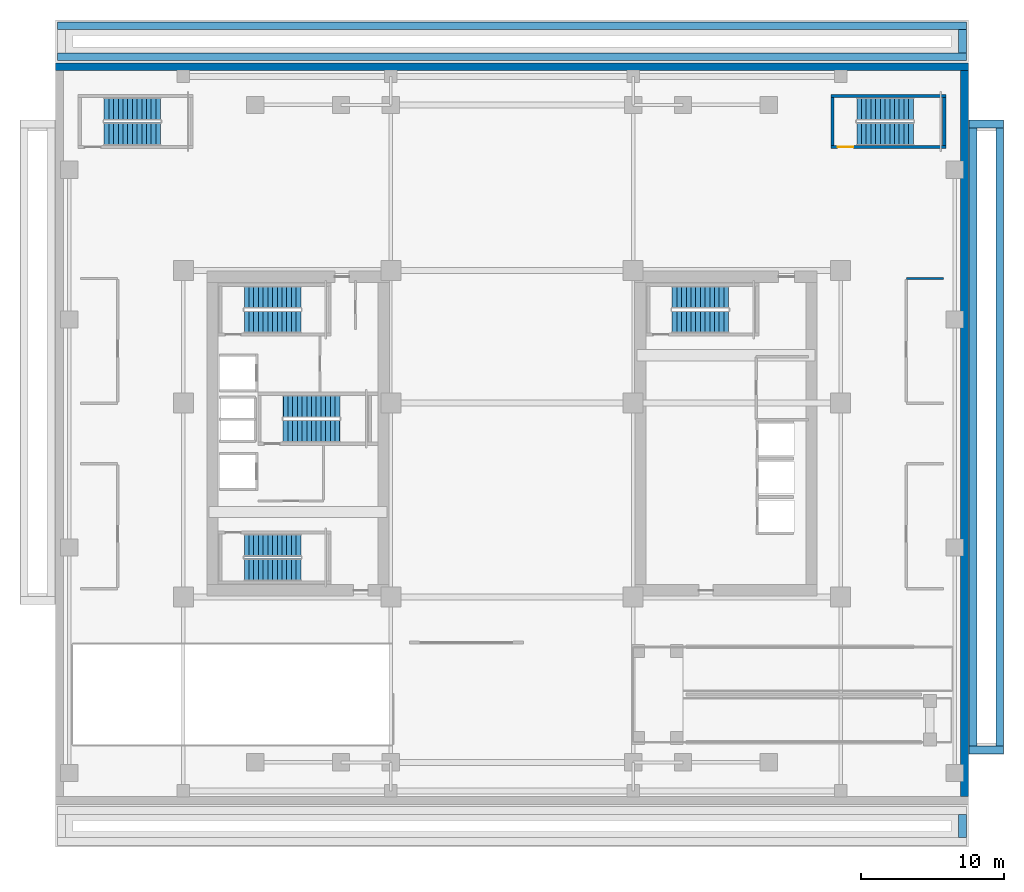
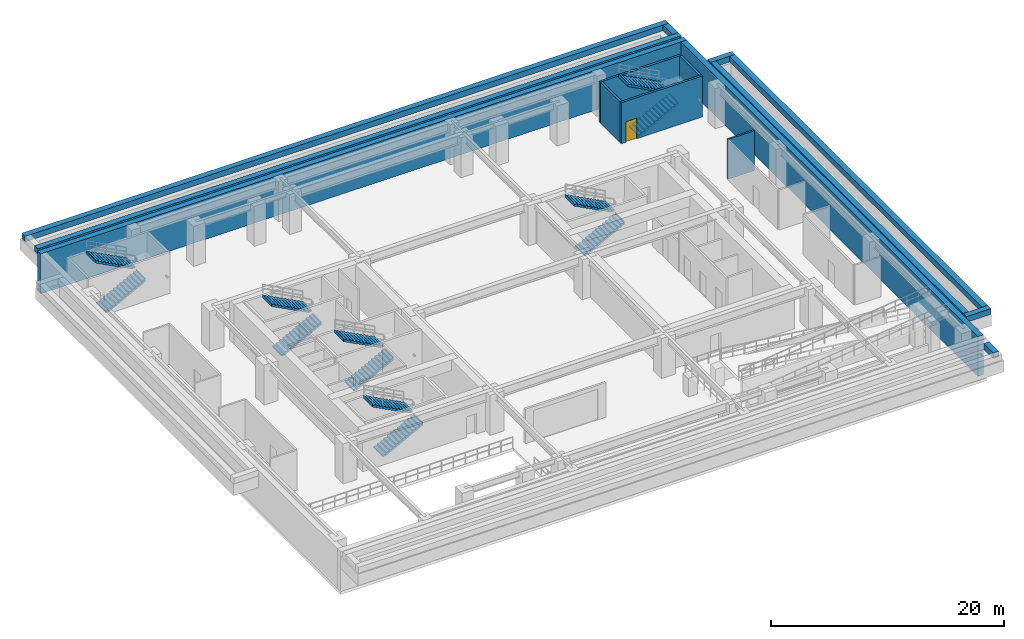
# One storey, part 5 of 9: 15 walls, 12 stair flights, 1 door, 1 opening, 6 elements without a shape of their own.
"""IFC4 building model written with IfcOpenShell, lengths in metres."""

from ifc_helpers import new_model, si_unit, direction, frame, frame_2d, origin, place, context, subcontext, project, spatial, polyline, rectangle, outline, extrude, source, transform, mapped, material, layer, layer_set, type_object, element, fill, aggregate, save


model = new_model("IFC4")

# Units and contexts
model_context = context("Model", 3, precision=1e-05, world=origin(), true_north=direction((0.0, 1.0)))
body_context = subcontext(model_context, "Body", "Model", "MODEL_VIEW")
ifc_project = project(units=[si_unit("LENGTHUNIT", "METRE"), si_unit("AREAUNIT", "SQUARE_METRE"), si_unit("VOLUMEUNIT", "CUBIC_METRE"), si_unit("PLANEANGLEUNIT", "RADIAN"), si_unit("MASSUNIT", "GRAM", prefix="KILO")], contexts=[model_context])

# Site, building, storey
site_placement = place(None, origin())
site = spatial("IfcSite", under=ifc_project, at=site_placement, CompositionType="ELEMENT")
building_placement = place(site_placement, origin())
building = spatial("IfcBuilding", under=site, at=building_placement, Name="Ocotamira Hotel", CompositionType="ELEMENT")
storey_placement = place(building_placement, frame((0.0, 0.0, -4.5)))
storey = spatial("IfcBuildingStorey", under=building, at=storey_placement, Name="B01", CompositionType="ELEMENT", Elevation=-4.5)

# Walls
ifc_material_1 = material(Name="Acoustic double-layer fire gypsum board partition", Category="gypsum")
ifc_layer_1 = layer(ifc_material_1, 0.159912109375)
ifc_layer_set_1 = layer_set([ifc_layer_1], Name="Acoustic double-layer fire gypsum board partition")
wall_type_1 = type_object("IfcWallType", Name="WL-FIRE-160", PredefinedType="PARTITIONING", material=ifc_layer_set_1)
wall_1_placement = place(storey_placement, frame((59.64990234375, 36.8798828125, 0.0), z_axis=(0.0, 0.0, 1.0), x_axis=(1.0, 0.0, 0.0)))
element("IfcWall", 1, at=wall_1_placement, inside=storey, type_object=wall_type_1, Name="B01 Interior Wall PW-B01-B01-BIKE-N", PredefinedType="PARTITIONING", context=body_context, shape_type="SweptSolid", body=[
    extrude(rectangle(XDim=2.60009765625, YDim=0.159912109375, at=frame_2d((1.300048828125, 0.0))), origin(), (0.0, 0.0, 1.0), 4.179931640625),
])
ifc_material_2 = material(Name="Concrete C50/60", Category="concrete")
ifc_layer_2 = layer(ifc_material_2, 0.550048828125)
ifc_layer_set_2 = layer_set([ifc_layer_2], Name="Concrete C50/60")
wall_type_2 = type_object("IfcWallType", Name="WL-RET-550", PredefinedType="USERDEFINED", material=ifc_layer_set_2)
wall_2_placement = place(storey_placement, frame((63.60009765625, -2.324951171875, 3.64990234375), z_axis=(0.0, 0.0, 1.0), x_axis=(0.0, 1.0, 0.0)))
element("IfcWall", 2, at=wall_2_placement, inside=storey, type_object=wall_type_2, Name="B01 Shear Core Wall RW-PLZ-SOUTH-E", ObjectType="RETAINING WALL", PredefinedType="USERDEFINED", context=body_context, shape_type="SweptSolid", body=[
    extrude(rectangle(XDim=1.6298828125, YDim=0.550048828125, at=frame_2d((0.81494140625, 0.0))), origin(), (0.0, 0.0, 1.0), 0.60009765625),
])
for number, where, z_axis, x_axis, name in (
    (3, (0.125, 52.419921875, 3.64990234375), (0.0, 0.0, 1.0), (1.0, 0.0, 0.0), "B01 Shear Core Wall RW-PLZ-NORTH-S"),
    (4, (0.125, 54.60009765625, 3.64990234375), (0.0, 0.0, 1.0), (1.0, 0.0, 0.0), "B01 Shear Core Wall RW-PLZ-NORTH-N"),
):
    element("IfcWall", number, at=place(storey_placement, frame(where, z_axis=z_axis, x_axis=x_axis)), inside=storey, type_object=wall_type_2, Name=name, ObjectType="RETAINING WALL", PredefinedType="USERDEFINED", context=body_context, shape_type="SweptSolid", body=[
        extrude(rectangle(XDim=63.75, YDim=0.550048828125, at=frame_2d((31.875, 0.0))), origin(), (0.0, 0.0, 1.0), 0.60009765625),
    ])
wall_3_placement = place(storey_placement, frame((63.60009765625, 52.695068359375, 3.64990234375), z_axis=(0.0, 0.0, 1.0), x_axis=(0.0, 1.0, 0.0)))
element("IfcWall", 5, at=wall_3_placement, inside=storey, type_object=wall_type_2, Name="B01 Shear Core Wall RW-PLZ-NORTH-E", ObjectType="RETAINING WALL", PredefinedType="USERDEFINED", context=body_context, shape_type="SweptSolid", body=[
    extrude(rectangle(XDim=1.6298828125, YDim=0.550048828125, at=frame_2d((0.81494140625, 0.0))), origin(), (0.0, 0.0, 1.0), 0.60009765625),
])
for number, where, z_axis, x_axis, name in (
    (6, (64.044921875, 3.800048828125, 3.64990234375), (0.0, 0.0, 1.0), (1.0, 0.0, 0.0), "B01 Shear Core Wall RW-EXE-S"),
    (7, (64.044921875, 47.699951171875, 3.64990234375), (0.0, 0.0, 1.0), (1.0, 0.0, 0.0), "B01 Shear Core Wall RW-EXE-N"),
):
    element("IfcWall", number, at=place(storey_placement, frame(where, z_axis=z_axis, x_axis=x_axis)), inside=storey, type_object=wall_type_2, Name=name, ObjectType="RETAINING WALL", PredefinedType="USERDEFINED", context=body_context, shape_type="SweptSolid", body=[
        extrude(rectangle(XDim=2.43017578125, YDim=0.550048828125, at=frame_2d((1.215087890625, 0.0))), origin(), (0.0, 0.0, 1.0), 0.60009765625),
    ])
for number, where, z_axis, x_axis, name in (
    (8, (64.320068359375, 4.074951171875, 3.64990234375), (0.0, 0.0, 1.0), (0.0, 1.0, 0.0), "B01 Shear Core Wall RW-EXE-W"),
    (9, (66.199951171875, 4.074951171875, 3.64990234375), (0.0, 0.0, 1.0), (0.0, 1.0, 0.0), "B01 Shear Core Wall RW-EXE-E"),
):
    element("IfcWall", number, at=place(storey_placement, frame(where, z_axis=z_axis, x_axis=x_axis)), inside=storey, type_object=wall_type_2, Name=name, ObjectType="RETAINING WALL", PredefinedType="USERDEFINED", context=body_context, shape_type="SweptSolid", body=[
        extrude(rectangle(XDim=43.35009765625, YDim=0.550048828125, at=frame_2d((21.675048828125, 0.0))), origin(), (0.0, 0.0, 1.0), 0.60009765625),
    ])
wall_4_placement = place(storey_placement, frame((0.0, 51.72509765625, 0.0), z_axis=(0.0, 0.0, 1.0), x_axis=(1.0, 0.0, 0.0)))
element("IfcWall", 10, at=wall_4_placement, inside=storey, type_object=wall_type_2, Name="B01 Shear Core Wall RW-PERIM-N", ObjectType="RETAINING WALL", PredefinedType="USERDEFINED", context=body_context, shape_type="SweptSolid", body=[
    extrude(rectangle(XDim=64.0, YDim=0.550048828125, at=frame_2d((32.0, 0.0))), origin(), (0.0, 0.0, 1.0), 4.179931640625),
])
wall_5_placement = place(storey_placement, frame((63.72509765625, 0.550048828125, 0.0), z_axis=(0.0, 0.0, 1.0), x_axis=(0.0, 1.0, 0.0)))
element("IfcWall", 11, at=wall_5_placement, inside=storey, type_object=wall_type_2, Name="B01 Shear Core Wall RW-PERIM-E", ObjectType="RETAINING WALL", PredefinedType="USERDEFINED", context=body_context, shape_type="SweptSolid", body=[
    extrude(rectangle(XDim=50.89990234375, YDim=0.550048828125, at=frame_2d((25.449951171875, 0.0))), origin(), (0.0, 0.0, 1.0), 4.179931640625),
])

# Wall, opening, door
ifc_layer_3 = layer(ifc_material_2, 0.219970703125)
ifc_layer_set_3 = layer_set([ifc_layer_3], Name="Concrete C50/60")
wall_type_3 = type_object("IfcWallType", Name="WL-STAIR-220", PredefinedType="SHEAR", material=ifc_layer_set_3)
wall_6_placement = place(storey_placement, frame((54.360107421875, 46.090087890625, 0.0), z_axis=(0.0, 0.0, 1.0), x_axis=(1.0, 0.0, 0.0)))
wall_6 = element("IfcWall", 12, at=wall_6_placement, inside=storey, type_object=wall_type_3, Name="B01 Stair Shaft Structural Wall ST-6-S", PredefinedType="SHEAR", context=body_context, shape_type="SweptSolid", body=[
    extrude(rectangle(XDim=8.059814453125, YDim=0.219970703125, at=frame_2d((4.02978515625, 0.0))), origin(), (0.0, 0.0, 1.0), 4.300048828125),
])
opening_placement = place(wall_6_placement, frame((0.469970703125, 0.0, 0.0)))
opening = element("IfcOpeningElement", 13, at=opening_placement, cuts=wall_6, Name="Opening D-ST1", PredefinedType="OPENING", context=body_context, shape_type="SweptSolid", body=[
    extrude(rectangle(XDim=1.10009765625, YDim=2.14990234375, at=frame_2d((0.550048828125, 1.074951171875))), frame((0.0, 0.1201171875, 0.0), z_axis=(0.0, -1.0, 0.0), x_axis=(1.0, 0.0, 0.0)), (0.0, 0.0, 1.0), 0.239990234375),
])
ifc_material_3 = material(Name="Insulated painted hollow-metal fire exit door", Category="steel")
door_type = type_object("IfcDoorType", Name="DR-STAIR-1100", OperationType="NOTDEFINED", PredefinedType="DOOR", material=ifc_material_3)
shared_shape_1 = source(origin(), body_context, "Body", "SweptSolid", [
    extrude(rectangle(XDim=1.10009765625, YDim=2.14990234375, at=frame_2d((0.550048828125, 1.074951171875))), frame((0.0, 0.02490234375, 0.0), z_axis=(0.0, -1.0, 0.0), x_axis=(1.0, 0.0, 0.0)), (0.0, 0.0, 1.0), 0.050048828125),
])
door_placement = place(opening_placement, origin())
door = element("IfcDoor", 14, at=door_placement, inside=storey, type_object=door_type, Name="B01 Door ID-B01-STD-ST-6 [ID-B01-STD-ST-6]", OperationType="SINGLE_SWING_RIGHT", OverallHeight=2.14990234375, OverallWidth=1.10009765625, PredefinedType="DOOR", context=body_context, shape_type="MappedRepresentation", body=[
    mapped(shared_shape_1, transform((0.0, 0.0, 0.0), scale=1.0)),
])
fill(opening, door)

# Walls
wall_7_placement = place(storey_placement, frame((54.360107421875, 49.669921875, 0.0), z_axis=(0.0, 0.0, 1.0), x_axis=(1.0, 0.0, 0.0)))
element("IfcWall", 15, at=wall_7_placement, inside=storey, type_object=wall_type_3, Name="B01 Stair Shaft Structural Wall ST-6-N", PredefinedType="SHEAR", context=body_context, shape_type="SweptSolid", body=[
    extrude(rectangle(XDim=8.059814453125, YDim=0.219970703125, at=frame_2d((4.02978515625, 0.0))), origin(), (0.0, 0.0, 1.0), 4.300048828125),
])
for number, where, z_axis, x_axis, name in (
    (16, (54.469970703125, 46.199951171875, 0.0), (0.0, 0.0, 1.0), (0.0, 1.0, 0.0), "B01 Stair Shaft Structural Wall ST-6-W"),
    (17, (62.31005859375, 46.199951171875, 0.0), (0.0, 0.0, 1.0), (0.0, 1.0, 0.0), "B01 Stair Shaft Structural Wall ST-6-E"),
):
    element("IfcWall", number, at=place(storey_placement, frame(where, z_axis=z_axis, x_axis=x_axis)), inside=storey, type_object=wall_type_3, Name=name, PredefinedType="SHEAR", context=body_context, shape_type="SweptSolid", body=[
        extrude(rectangle(XDim=3.360107421875, YDim=0.219970703125, at=frame_2d((1.68017578125, 0.0))), origin(), (0.0, 0.0, 1.0), 4.300048828125),
    ])

# Stair, stair flights
ifc_material_4 = material(Name="Concrete C40/50", Category="concrete")
stair_type_1 = type_object("IfcStairType", Name="ST-CORE-1560", PredefinedType="HALF_TURN_STAIR", material=ifc_material_4)
stair_1_placement = place(storey_placement, origin())
stair_1 = element("IfcStair", 18, at=stair_1_placement, inside=storey, type_object=stair_type_1, Name="B01 Exit Stair ST-1", PredefinedType="HALF_TURN_STAIR")
stair_flight_type_1 = type_object("IfcStairFlightType", Name="STF-CORE-1560", PredefinedType="STRAIGHT", material=ifc_material_4)
shared_shape_2 = source(origin(), body_context, "Body", "SweptSolid", [
    extrude(outline(polyline([(-0.00390625, 0.0), (-0.00390625, 0.173095703125), (0.330078125, 0.173095703125), (0.330078125, 0.34619140625), (0.659912109375, 0.34619140625), (0.659912109375, 0.519287109375), (0.989990234375, 0.519287109375), (0.989990234375, 0.6923828125), (1.320068359375, 0.6923828125), (1.320068359375, 0.865478515625), (1.64990234375, 0.865478515625), (1.64990234375, 1.03857421875), (1.97998046875, 1.03857421875), (1.97998046875, 1.21142578125), (2.31005859375, 1.21142578125), (2.31005859375, 1.384521484375), (2.639892578125, 1.384521484375), (2.639892578125, 1.5576171875), (2.969970703125, 1.5576171875), (2.969970703125, 1.730712890625), (3.300048828125, 1.730712890625), (3.300048828125, 1.90380859375), (3.6298828125, 1.90380859375), (3.6298828125, 2.076904296875), (3.9599609375, 2.076904296875), (3.9599609375, 2.25), (3.964111328125, 2.25), (3.964111328125, 1.90771484375), (0.32275390625, 0.0), (-0.00390625, 0.0)])), frame((0.0, 0.780029296875, 0.0), z_axis=(0.0, -1.0, 0.0), x_axis=(1.0, 0.0, 0.0)), (0.0, 0.0, 1.0), 1.56005859375),
])
stair_flight_1_placement = place(storey_placement, frame((13.22998046875, 16.449951171875, 0.0), z_axis=(0.0, 0.0, 1.0), x_axis=(1.0, 0.0, 0.0)))
stair_flight_1 = element("IfcStairFlight", 19, at=stair_flight_1_placement, type_object=stair_flight_type_1, Name="ST-1 flight 1", NumberOfRisers=13, NumberOfTreads=12, PredefinedType="STRAIGHT", RiserHeight=0.173076923, TreadLength=0.33, context=body_context, shape_type="MappedRepresentation", body=[
    mapped(shared_shape_2, transform((0.0, 0.0, 0.0), scale=1.0)),
])
stair_flight_2_placement = place(storey_placement, frame((17.18994140625, 18.169921875, 2.25), z_axis=(0.0, 0.0, 1.0), x_axis=(-1.0, 0.0, 0.0)))
stair_flight_2 = element("IfcStairFlight", 20, at=stair_flight_2_placement, type_object=stair_flight_type_1, Name="ST-1 flight 2", NumberOfRisers=13, NumberOfTreads=12, PredefinedType="STRAIGHT", RiserHeight=0.173076923, TreadLength=0.33, context=body_context, shape_type="MappedRepresentation", body=[
    mapped(shared_shape_2, transform((0.0, 0.0, 0.0), scale=1.0)),
])
aggregate(stair_1, [stair_flight_1, stair_flight_2])

stair_2_placement = place(storey_placement, origin())
stair_2 = element("IfcStair", 21, at=stair_2_placement, inside=storey, type_object=stair_type_1, Name="B01 Exit Stair ST-2", PredefinedType="HALF_TURN_STAIR")
stair_flight_3_placement = place(storey_placement, frame((13.22998046875, 33.830078125, 0.0), z_axis=(0.0, 0.0, 1.0), x_axis=(1.0, 0.0, 0.0)))
stair_flight_3 = element("IfcStairFlight", 22, at=stair_flight_3_placement, type_object=stair_flight_type_1, Name="ST-2 flight 1", NumberOfRisers=13, NumberOfTreads=12, PredefinedType="STRAIGHT", RiserHeight=0.173076923, TreadLength=0.33, context=body_context, shape_type="MappedRepresentation", body=[
    mapped(shared_shape_2, transform((0.0, 0.0, 0.0), scale=1.0)),
])
stair_flight_4_placement = place(storey_placement, frame((17.18994140625, 35.550048828125, 2.25), z_axis=(0.0, 0.0, 1.0), x_axis=(-1.0, 0.0, 0.0)))
stair_flight_4 = element("IfcStairFlight", 23, at=stair_flight_4_placement, type_object=stair_flight_type_1, Name="ST-2 flight 2", NumberOfRisers=13, NumberOfTreads=12, PredefinedType="STRAIGHT", RiserHeight=0.173076923, TreadLength=0.33, context=body_context, shape_type="MappedRepresentation", body=[
    mapped(shared_shape_2, transform((0.0, 0.0, 0.0), scale=1.0)),
])
aggregate(stair_2, [stair_flight_3, stair_flight_4])

stair_3_placement = place(storey_placement, origin())
stair_3 = element("IfcStair", 24, at=stair_3_placement, inside=storey, type_object=stair_type_1, Name="B01 Exit Stair ST-3", PredefinedType="HALF_TURN_STAIR")
stair_flight_5_placement = place(storey_placement, frame((15.9599609375, 26.179931640625, 0.0), z_axis=(0.0, 0.0, 1.0), x_axis=(1.0, 0.0, 0.0)))
stair_flight_5 = element("IfcStairFlight", 25, at=stair_flight_5_placement, type_object=stair_flight_type_1, Name="ST-3 flight 1", NumberOfRisers=13, NumberOfTreads=12, PredefinedType="STRAIGHT", RiserHeight=0.173076923, TreadLength=0.33, context=body_context, shape_type="MappedRepresentation", body=[
    mapped(shared_shape_2, transform((0.0, 0.0, 0.0), scale=1.0)),
])
stair_flight_6_placement = place(storey_placement, frame((19.919921875, 27.89990234375, 2.25), z_axis=(0.0, 0.0, 1.0), x_axis=(-1.0, 0.0, 0.0)))
stair_flight_6 = element("IfcStairFlight", 26, at=stair_flight_6_placement, type_object=stair_flight_type_1, Name="ST-3 flight 2", NumberOfRisers=13, NumberOfTreads=12, PredefinedType="STRAIGHT", RiserHeight=0.173076923, TreadLength=0.33, context=body_context, shape_type="MappedRepresentation", body=[
    mapped(shared_shape_2, transform((0.0, 0.0, 0.0), scale=1.0)),
])
aggregate(stair_3, [stair_flight_5, stair_flight_6])

stair_4_placement = place(storey_placement, origin())
stair_4 = element("IfcStair", 27, at=stair_4_placement, inside=storey, type_object=stair_type_1, Name="B01 Exit Stair ST-4", PredefinedType="HALF_TURN_STAIR")
stair_flight_7_placement = place(storey_placement, frame((43.22998046875, 33.830078125, 0.0), z_axis=(0.0, 0.0, 1.0), x_axis=(1.0, 0.0, 0.0)))
stair_flight_7 = element("IfcStairFlight", 28, at=stair_flight_7_placement, type_object=stair_flight_type_1, Name="ST-4 flight 1", NumberOfRisers=13, NumberOfTreads=12, PredefinedType="STRAIGHT", RiserHeight=0.173076923, TreadLength=0.33, context=body_context, shape_type="MappedRepresentation", body=[
    mapped(shared_shape_2, transform((0.0, 0.0, 0.0), scale=1.0)),
])
stair_flight_8_placement = place(storey_placement, frame((47.18994140625, 35.550048828125, 2.25), z_axis=(0.0, 0.0, 1.0), x_axis=(-1.0, 0.0, 0.0)))
stair_flight_8 = element("IfcStairFlight", 29, at=stair_flight_8_placement, type_object=stair_flight_type_1, Name="ST-4 flight 2", NumberOfRisers=13, NumberOfTreads=12, PredefinedType="STRAIGHT", RiserHeight=0.173076923, TreadLength=0.33, context=body_context, shape_type="MappedRepresentation", body=[
    mapped(shared_shape_2, transform((0.0, 0.0, 0.0), scale=1.0)),
])
aggregate(stair_4, [stair_flight_7, stair_flight_8])

stair_type_2 = type_object("IfcStairType", Name="ST-POD-1600", PredefinedType="HALF_TURN_STAIR", material=ifc_material_4)
stair_5_placement = place(storey_placement, origin())
stair_5 = element("IfcStair", 30, at=stair_5_placement, inside=storey, type_object=stair_type_2, Name="B01 Exit Stair ST-5", PredefinedType="HALF_TURN_STAIR")
stair_flight_type_2 = type_object("IfcStairFlightType", Name="STF-POD-1600", PredefinedType="STRAIGHT", material=ifc_material_4)
shared_shape_3 = source(origin(), body_context, "Body", "SweptSolid", [
    extrude(outline(polyline([(-0.00390625, 0.0), (-0.00390625, 0.173095703125), (0.330078125, 0.173095703125), (0.330078125, 0.34619140625), (0.659912109375, 0.34619140625), (0.659912109375, 0.519287109375), (0.989990234375, 0.519287109375), (0.989990234375, 0.6923828125), (1.320068359375, 0.6923828125), (1.320068359375, 0.865478515625), (1.64990234375, 0.865478515625), (1.64990234375, 1.03857421875), (1.97998046875, 1.03857421875), (1.97998046875, 1.21142578125), (2.31005859375, 1.21142578125), (2.31005859375, 1.384521484375), (2.639892578125, 1.384521484375), (2.639892578125, 1.5576171875), (2.969970703125, 1.5576171875), (2.969970703125, 1.730712890625), (3.300048828125, 1.730712890625), (3.300048828125, 1.90380859375), (3.6298828125, 1.90380859375), (3.6298828125, 2.076904296875), (3.9599609375, 2.076904296875), (3.9599609375, 2.25), (3.964111328125, 2.25), (3.964111328125, 1.90771484375), (0.32275390625, 0.0), (-0.00390625, 0.0)])), frame((0.0, 0.800048828125, 0.0), z_axis=(0.0, -1.0, 0.0), x_axis=(1.0, 0.0, 0.0)), (0.0, 0.0, 1.0), 1.60009765625),
])
stair_flight_9_placement = place(storey_placement, frame((3.39990234375, 47.0, 0.0), z_axis=(0.0, 0.0, 1.0), x_axis=(1.0, 0.0, 0.0)))
stair_flight_9 = element("IfcStairFlight", 31, at=stair_flight_9_placement, type_object=stair_flight_type_2, Name="ST-5 flight 1", NumberOfRisers=13, NumberOfTreads=12, PredefinedType="STRAIGHT", RiserHeight=0.173076923, TreadLength=0.33, context=body_context, shape_type="MappedRepresentation", body=[
    mapped(shared_shape_3, transform((0.0, 0.0, 0.0), scale=1.0)),
])
stair_flight_10_placement = place(storey_placement, frame((7.360107421875, 48.760009765625, 2.25), z_axis=(0.0, 0.0, 1.0), x_axis=(-1.0, 0.0, 0.0)))
stair_flight_10 = element("IfcStairFlight", 32, at=stair_flight_10_placement, type_object=stair_flight_type_2, Name="ST-5 flight 2", NumberOfRisers=13, NumberOfTreads=12, PredefinedType="STRAIGHT", RiserHeight=0.173076923, TreadLength=0.33, context=body_context, shape_type="MappedRepresentation", body=[
    mapped(shared_shape_3, transform((0.0, 0.0, 0.0), scale=1.0)),
])
aggregate(stair_5, [stair_flight_9, stair_flight_10])

stair_6_placement = place(storey_placement, origin())
stair_6 = element("IfcStair", 33, at=stair_6_placement, inside=storey, type_object=stair_type_2, Name="B01 Exit Stair ST-6", PredefinedType="HALF_TURN_STAIR")
stair_flight_11_placement = place(storey_placement, frame((56.179931640625, 47.0, 0.0), z_axis=(0.0, 0.0, 1.0), x_axis=(1.0, 0.0, 0.0)))
stair_flight_11 = element("IfcStairFlight", 34, at=stair_flight_11_placement, type_object=stair_flight_type_2, Name="ST-6 flight 1", NumberOfRisers=13, NumberOfTreads=12, PredefinedType="STRAIGHT", RiserHeight=0.173076923, TreadLength=0.33, context=body_context, shape_type="MappedRepresentation", body=[
    mapped(shared_shape_3, transform((0.0, 0.0, 0.0), scale=1.0)),
])
stair_flight_12_placement = place(storey_placement, frame((60.139892578125, 48.760009765625, 2.25), z_axis=(0.0, 0.0, 1.0), x_axis=(-1.0, 0.0, 0.0)))
stair_flight_12 = element("IfcStairFlight", 35, at=stair_flight_12_placement, type_object=stair_flight_type_2, Name="ST-6 flight 2", NumberOfRisers=13, NumberOfTreads=12, PredefinedType="STRAIGHT", RiserHeight=0.173076923, TreadLength=0.33, context=body_context, shape_type="MappedRepresentation", body=[
    mapped(shared_shape_3, transform((0.0, 0.0, 0.0), scale=1.0)),
])
aggregate(stair_6, [stair_flight_11, stair_flight_12])

save(model, "model.ifc")
